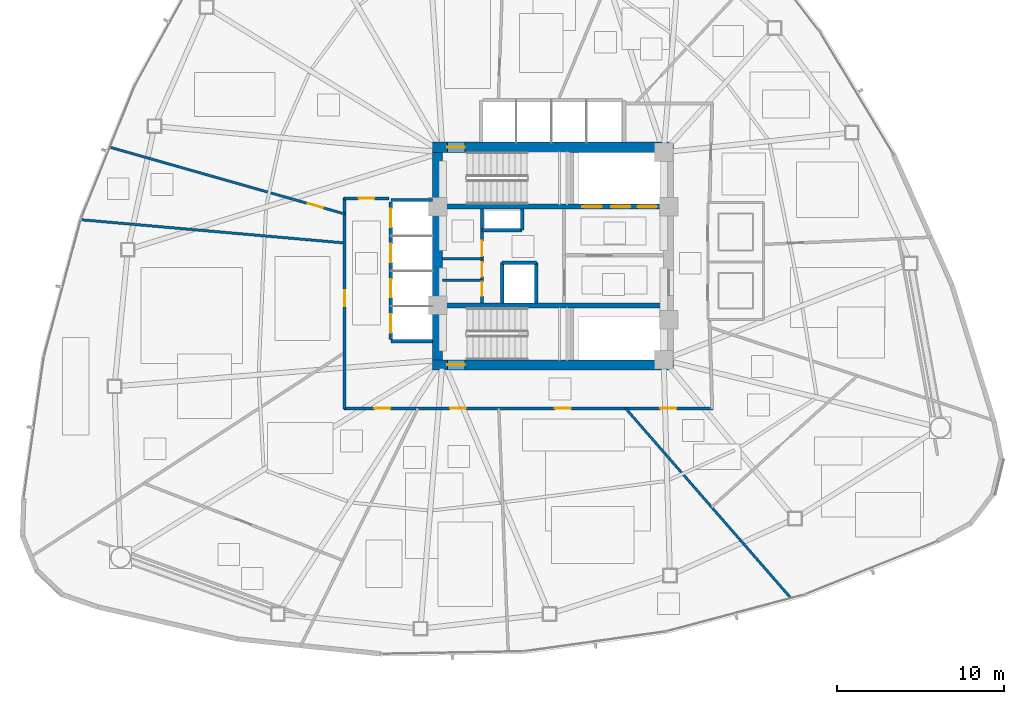
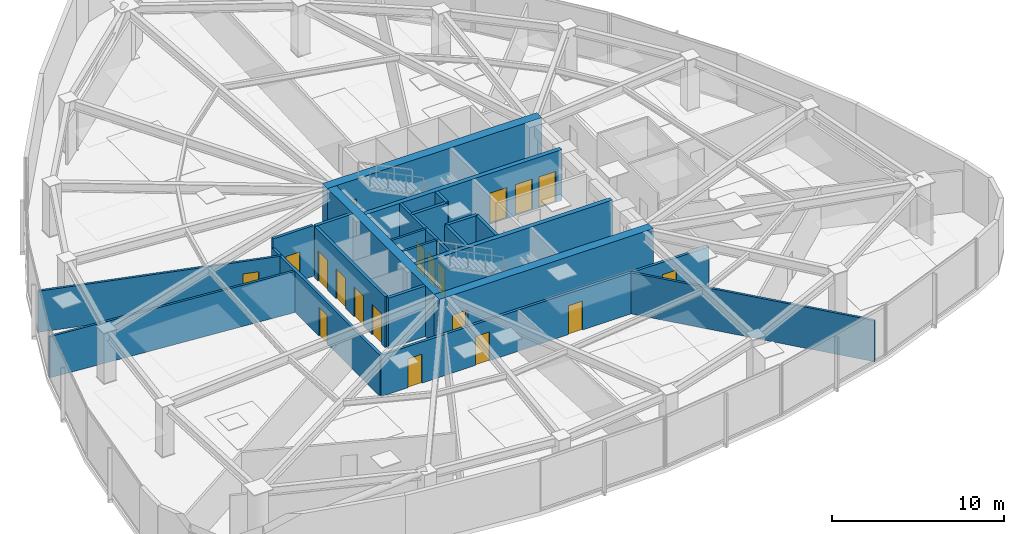
# One storey, part 11 of 17: 22 walls, 19 doors, 19 openings.
"""IFC4 building model written with IfcOpenShell, lengths in metres."""

from ifc_helpers import new_model, si_unit, direction, frame, frame_2d, origin, place, context, subcontext, project, spatial, rectangle, extrude, material, layer, layer_set, type_object, element, fill, save


model = new_model("IFC4")

# Units and contexts
model_context = context("Model", 3, precision=1e-05, world=origin(), true_north=direction((0.0, 1.0)))
body_context = subcontext(model_context, "Body", "Model", "MODEL_VIEW")
ifc_project = project(units=[si_unit("LENGTHUNIT", "METRE"), si_unit("AREAUNIT", "SQUARE_METRE"), si_unit("VOLUMEUNIT", "CUBIC_METRE"), si_unit("PLANEANGLEUNIT", "RADIAN"), si_unit("MASSUNIT", "GRAM", prefix="KILO")], contexts=[model_context])

# Site, building, storey
site_placement = place(None, origin())
site = spatial("IfcSite", under=ifc_project, at=site_placement, CompositionType="ELEMENT")
building_placement = place(site_placement, origin())
building = spatial("IfcBuilding", under=site, at=building_placement, Name="Tavelor Broadcast Tower", CompositionType="ELEMENT")
storey_placement = place(building_placement, frame((0.0, 0.0, 43.199951171875)))
storey = spatial("IfcBuildingStorey", under=building, at=storey_placement, Name="L09", CompositionType="ELEMENT", Elevation=43.199951171875)

# Wall, opening, door
ifc_material_1 = material(Name="Concrete C60/75", Category="concrete")
ifc_layer_1 = layer(ifc_material_1, 0.60009765625)
ifc_layer_set_1 = layer_set([ifc_layer_1], Name="Concrete C60/75")
wall_type_1 = type_object("IfcWallType", Name="Core Shear Wall 600 mm", PredefinedType="SHEAR", material=ifc_layer_set_1)
wall_1_placement = place(storey_placement, frame((42.800048828125, 51.5, 0.0), z_axis=(0.0, 0.0, 1.0), x_axis=(1.0, 0.0, 0.0)))
wall_1 = element("IfcWall", 1, at=wall_1_placement, inside=storey, type_object=wall_type_1, Name="L09 Central Core Shear Wall N", PredefinedType="SHEAR", context=body_context, shape_type="SweptSolid", body=[
    extrude(rectangle(XDim=14.39990234375, YDim=0.60009765625, at=frame_2d((7.199951171875, 0.0))), origin(), (0.0, 0.0, 1.0), 3.60009765625),
])
opening_1_placement = place(wall_1_placement, frame((0.8798828125, 0.0, 0.0)))
opening_1 = element("IfcOpeningElement", 2, at=opening_1_placement, cuts=wall_1, Name="Opening DR11", PredefinedType="OPENING", context=body_context, shape_type="SweptSolid", body=[
    extrude(rectangle(XDim=1.050048828125, YDim=2.199951171875, at=frame_2d((0.52490234375, 1.10009765625))), frame((0.0, 0.31005859375, 0.0), z_axis=(0.0, -1.0, 0.0), x_axis=(1.0, 0.0, 0.0)), (0.0, 0.0, 1.0), 0.6201171875),
])
ifc_material_2 = material(Name="Steel S355", Category="steel")
door_type_1 = type_object("IfcDoorType", Name="Stair Core Fire Escape Door 1050x2200", OperationType="NOTDEFINED", PredefinedType="DOOR", material=ifc_material_2)
door_1_placement = place(opening_1_placement, origin())
door_1 = element("IfcDoor", 3, at=door_1_placement, inside=storey, type_object=door_type_1, Name="L09 Stair ST1 Protected Exit Door", OperationType="SINGLE_SWING_LEFT", OverallHeight=2.199951171875, OverallWidth=1.050048828125, PredefinedType="DOOR", context=body_context, shape_type="SweptSolid", body=[
    extrude(rectangle(XDim=1.050048828125, YDim=2.199951171875, at=frame_2d((0.52490234375, 1.10009765625))), frame((0.0, 0.02490234375, 0.0), z_axis=(0.0, -1.0, 0.0), x_axis=(1.0, 0.0, 0.0)), (0.0, 0.0, 1.0), 0.050048828125),
])
fill(opening_1, door_1)

wall_2_placement = place(storey_placement, frame((42.800048828125, 38.5, 0.0), z_axis=(0.0, 0.0, 1.0), x_axis=(1.0, 0.0, 0.0)))
wall_2 = element("IfcWall", 4, at=wall_2_placement, inside=storey, type_object=wall_type_1, Name="L09 Central Core Shear Wall S", PredefinedType="SHEAR", context=body_context, shape_type="SweptSolid", body=[
    extrude(rectangle(XDim=14.39990234375, YDim=0.60009765625, at=frame_2d((7.199951171875, 0.0))), origin(), (0.0, 0.0, 1.0), 3.60009765625),
])
opening_2_placement = place(wall_2_placement, frame((0.8798828125, 0.0, 0.0)))
opening_2 = element("IfcOpeningElement", 5, at=opening_2_placement, cuts=wall_2, Name="Opening DR11", PredefinedType="OPENING", context=body_context, shape_type="SweptSolid", body=[
    extrude(rectangle(XDim=1.050048828125, YDim=2.199951171875, at=frame_2d((0.52490234375, 1.10009765625))), frame((0.0, 0.31005859375, 0.0), z_axis=(0.0, -1.0, 0.0), x_axis=(1.0, 0.0, 0.0)), (0.0, 0.0, 1.0), 0.6201171875),
])
door_2_placement = place(opening_2_placement, origin())
door_2 = element("IfcDoor", 6, at=door_2_placement, inside=storey, type_object=door_type_1, Name="L09 Stair ST2 Protected Exit Door", OperationType="SINGLE_SWING_RIGHT", OverallHeight=2.199951171875, OverallWidth=1.050048828125, PredefinedType="DOOR", context=body_context, shape_type="SweptSolid", body=[
    extrude(rectangle(XDim=1.050048828125, YDim=2.199951171875, at=frame_2d((0.52490234375, 1.10009765625))), frame((0.0, 0.02490234375, 0.0), z_axis=(0.0, -1.0, 0.0), x_axis=(1.0, 0.0, 0.0)), (0.0, 0.0, 1.0), 0.050048828125),
])
fill(opening_2, door_2)

# Wall
wall_3_placement = place(storey_placement, frame((43.10009765625, 38.800048828125, 0.0), z_axis=(0.0, 0.0, 1.0), x_axis=(0.0, 1.0, 0.0)))
element("IfcWall", 7, at=wall_3_placement, inside=storey, type_object=wall_type_1, Name="L09 Central Core Shear Wall W", PredefinedType="SHEAR", context=body_context, shape_type="SweptSolid", body=[
    extrude(rectangle(XDim=12.39990234375, YDim=0.60009765625, at=frame_2d((6.199951171875, 0.0))), origin(), (0.0, 0.0, 1.0), 3.60009765625),
])

# Wall, openings, doors
ifc_layer_2 = layer(ifc_material_1, 0.300048828125)
ifc_layer_set_2 = layer_set([ifc_layer_2], Name="Concrete C60/75")
wall_type_2 = type_object("IfcWallType", Name="Core Spine Shear Wall 300 mm C60", PredefinedType="SHEAR", material=ifc_layer_set_2)
wall_4_placement = place(storey_placement, frame((43.39990234375, 47.949951171875, 0.0), z_axis=(0.0, 0.0, 1.0), x_axis=(1.0, 0.0, 0.0)))
wall_4 = element("IfcWall", 8, at=wall_4_placement, inside=storey, type_object=wall_type_2, Name="L09 Central Core Shear Wall SP1", PredefinedType="SHEAR", context=body_context, shape_type="SweptSolid", body=[
    extrude(rectangle(XDim=13.2001953125, YDim=0.300048828125, at=frame_2d((6.60009765625, 0.0))), origin(), (0.0, 0.0, 1.0), 3.60009765625),
])
opening_3_placement = place(wall_4_placement, frame((8.344970703125, 0.0, 0.0)))
opening_3 = element("IfcOpeningElement", 9, at=opening_3_placement, cuts=wall_4, Name="Opening LD02", PredefinedType="OPENING", context=body_context, shape_type="SweptSolid", body=[
    extrude(rectangle(XDim=1.14990234375, YDim=2.199951171875, at=frame_2d((0.574951171875, 1.10009765625))), frame((0.0, 0.16015625, 0.0), z_axis=(0.0, -1.0, 0.0), x_axis=(1.0, 0.0, 0.0)), (0.0, 0.0, 1.0), 0.320068359375),
])
opening_4_placement = place(wall_4_placement, frame((10.06494140625, 0.0, 0.0)))
opening_4 = element("IfcOpeningElement", 10, at=opening_4_placement, cuts=wall_4, Name="Opening LD02", PredefinedType="OPENING", context=body_context, shape_type="SweptSolid", body=[
    extrude(rectangle(XDim=1.14990234375, YDim=2.199951171875, at=frame_2d((0.574951171875, 1.10009765625))), frame((0.0, 0.16015625, 0.0), z_axis=(0.0, -1.0, 0.0), x_axis=(1.0, 0.0, 0.0)), (0.0, 0.0, 1.0), 0.320068359375),
])
opening_5_placement = place(wall_4_placement, frame((11.64501953125, 0.0, 0.0)))
opening_5 = element("IfcOpeningElement", 11, at=opening_5_placement, cuts=wall_4, Name="Opening LD03", PredefinedType="OPENING", context=body_context, shape_type="SweptSolid", body=[
    extrude(rectangle(XDim=1.14990234375, YDim=2.199951171875, at=frame_2d((0.574951171875, 1.10009765625))), frame((0.0, 0.16015625, 0.0), z_axis=(0.0, -1.0, 0.0), x_axis=(1.0, 0.0, 0.0)), (0.0, 0.0, 1.0), 0.320068359375),
])
ifc_material_3 = material(Name="Reinforced Brushed Stainless Steel", Category="concrete")
door_type_2 = type_object("IfcDoorType", Name="Broadcast Goods Lift Sliding Landing Door 1250x2200", OperationType="NOTDEFINED", PredefinedType="DOOR", material=ifc_material_3)
door_3_placement = place(opening_5_placement, origin())
door_3 = element("IfcDoor", 12, at=door_3_placement, inside=storey, type_object=door_type_2, Name="L09 Lift SVL1 Sliding Landing Door", OperationType="SLIDING_TO_LEFT", OverallHeight=2.199951171875, OverallWidth=1.14990234375, PredefinedType="DOOR", context=body_context, shape_type="SweptSolid", body=[
    extrude(rectangle(XDim=1.14990234375, YDim=2.199951171875, at=frame_2d((0.574951171875, 1.10009765625))), frame((0.0, 0.02490234375, 0.0), z_axis=(0.0, -1.0, 0.0), x_axis=(1.0, 0.0, 0.0)), (0.0, 0.0, 1.0), 0.050048828125),
])
fill(opening_5, door_3)
ifc_material_4 = material(Name="Fire-Rated Stainless Steel", Category="steel")
door_type_3 = type_object("IfcDoorType", Name="Firefighting Lift Sliding Landing Door 1200x2200", OperationType="NOTDEFINED", PredefinedType="DOOR", material=ifc_material_4)
door_4_placement = place(opening_3_placement, origin())
door_4 = element("IfcDoor", 13, at=door_4_placement, inside=storey, type_object=door_type_3, Name="L09 Lift FFL1 Sliding Landing Door", OperationType="SLIDING_TO_LEFT", OverallHeight=2.199951171875, OverallWidth=1.14990234375, PredefinedType="DOOR", context=body_context, shape_type="SweptSolid", body=[
    extrude(rectangle(XDim=1.14990234375, YDim=2.199951171875, at=frame_2d((0.574951171875, 1.10009765625))), frame((0.0, 0.02490234375, 0.0), z_axis=(0.0, -1.0, 0.0), x_axis=(1.0, 0.0, 0.0)), (0.0, 0.0, 1.0), 0.050048828125),
])
fill(opening_3, door_4)
door_5_placement = place(opening_4_placement, origin())
door_5 = element("IfcDoor", 14, at=door_5_placement, inside=storey, type_object=door_type_3, Name="L09 Lift FFL2 Sliding Landing Door", OperationType="SLIDING_TO_LEFT", OverallHeight=2.199951171875, OverallWidth=1.14990234375, PredefinedType="DOOR", context=body_context, shape_type="SweptSolid", body=[
    extrude(rectangle(XDim=1.14990234375, YDim=2.199951171875, at=frame_2d((0.574951171875, 1.10009765625))), frame((0.0, 0.02490234375, 0.0), z_axis=(0.0, -1.0, 0.0), x_axis=(1.0, 0.0, 0.0)), (0.0, 0.0, 1.0), 0.050048828125),
])
fill(opening_4, door_5)

# Wall
wall_5_placement = place(storey_placement, frame((43.39990234375, 42.050048828125, 0.0), z_axis=(0.0, 0.0, 1.0), x_axis=(1.0, 0.0, 0.0)))
element("IfcWall", 15, at=wall_5_placement, inside=storey, type_object=wall_type_2, Name="L09 Central Core Shear Wall SP2", PredefinedType="SHEAR", context=body_context, shape_type="SweptSolid", body=[
    extrude(rectangle(XDim=13.2001953125, YDim=0.300048828125, at=frame_2d((6.60009765625, 0.0))), origin(), (0.0, 0.0, 1.0), 3.60009765625),
])

# Wall, openings, doors
ifc_material_5 = material(Name="Calcium Silicate Fire Board 180 mm", Category="gypsum")
ifc_layer_3 = layer(ifc_material_5, 0.179931640625)
ifc_layer_set_3 = layer_set([ifc_layer_3], Name="Calcium Silicate Fire Board 180 mm")
wall_type_3 = type_object("IfcWallType", Name="Fire-Rated Corridor Partition Wall 180 mm", PredefinedType="PARTITIONING", material=ifc_layer_set_3)
wall_6_placement = place(storey_placement, frame((45.75, 42.199951171875, 0.0), z_axis=(0.0, 0.0, 1.0), x_axis=(0.0, 1.0, 0.0)))
wall_6 = element("IfcWall", 16, at=wall_6_placement, inside=storey, type_object=wall_type_3, Name="L09 Core West Service East Wall", PredefinedType="PARTITIONING", context=body_context, shape_type="SweptSolid", body=[
    extrude(rectangle(XDim=5.60009765625, YDim=0.179931640625, at=frame_2d((2.800048828125, 0.0))), origin(), (0.0, 0.0, 1.0), 3.60009765625),
])
opening_6_placement = place(wall_6_placement, frame((0.419921875, 0.0, 0.0)))
opening_6 = element("IfcOpeningElement", 17, at=opening_6_placement, cuts=wall_6, Name="Opening DR36", PredefinedType="OPENING", context=body_context, shape_type="SweptSolid", body=[
    extrude(rectangle(XDim=0.85009765625, YDim=2.050048828125, at=frame_2d((0.425048828125, 1.02490234375))), frame((0.0, 0.10009765625, 0.0), z_axis=(0.0, -1.0, 0.0), x_axis=(1.0, 0.0, 0.0)), (0.0, 0.0, 1.0), 0.199951171875),
])
opening_7_placement = place(wall_6_placement, frame((1.570068359375, 0.0, 0.0)))
opening_7 = element("IfcOpeningElement", 18, at=opening_7_placement, cuts=wall_6, Name="Opening DR36", PredefinedType="OPENING", context=body_context, shape_type="SweptSolid", body=[
    extrude(rectangle(XDim=0.85009765625, YDim=2.050048828125, at=frame_2d((0.425048828125, 1.02490234375))), frame((0.0, 0.10009765625, 0.0), z_axis=(0.0, -1.0, 0.0), x_axis=(1.0, 0.0, 0.0)), (0.0, 0.0, 1.0), 0.199951171875),
])
opening_8_placement = place(wall_6_placement, frame((2.800048828125, 0.0, 0.0)))
opening_8 = element("IfcOpeningElement", 19, at=opening_8_placement, cuts=wall_6, Name="Opening DR32", PredefinedType="OPENING", context=body_context, shape_type="SweptSolid", body=[
    extrude(rectangle(XDim=0.89990234375, YDim=2.050048828125, at=frame_2d((0.449951171875, 1.02490234375))), frame((0.0, 0.10009765625, 0.0), z_axis=(0.0, -1.0, 0.0), x_axis=(1.0, 0.0, 0.0)), (0.0, 0.0, 1.0), 0.199951171875),
])
ifc_material_6 = material(Name="Timber Solid Core Hardwood", Category="wood")
door_type_4 = type_object("IfcDoorType", Name="Accessible Washroom Door 900x2050", OperationType="NOTDEFINED", PredefinedType="DOOR", material=ifc_material_6)
door_6_placement = place(opening_8_placement, origin())
door_6 = element("IfcDoor", 20, at=door_6_placement, inside=storey, type_object=door_type_4, Name="L09 Core Accessible WC Door", OperationType="SINGLE_SWING_LEFT", OverallHeight=2.050048828125, OverallWidth=0.89990234375, PredefinedType="DOOR", context=body_context, shape_type="SweptSolid", body=[
    extrude(rectangle(XDim=0.89990234375, YDim=2.050048828125, at=frame_2d((0.449951171875, 1.02490234375))), frame((0.0, 0.02490234375, 0.0), z_axis=(0.0, -1.0, 0.0), x_axis=(1.0, 0.0, 0.0)), (0.0, 0.0, 1.0), 0.050048828125),
])
fill(opening_8, door_6)
door_type_5 = type_object("IfcDoorType", Name="Service Room Fire Door 850x2050", OperationType="NOTDEFINED", PredefinedType="DOOR", material=ifc_material_2)
door_7_placement = place(opening_6_placement, origin())
door_7 = element("IfcDoor", 21, at=door_7_placement, inside=storey, type_object=door_type_5, Name="L09 Core Medical Room Door", OperationType="SINGLE_SWING_LEFT", OverallHeight=2.050048828125, OverallWidth=0.85009765625, PredefinedType="DOOR", context=body_context, shape_type="SweptSolid", body=[
    extrude(rectangle(XDim=0.85009765625, YDim=2.050048828125, at=frame_2d((0.425048828125, 1.02490234375))), frame((0.0, 0.02490234375, 0.0), z_axis=(0.0, -1.0, 0.0), x_axis=(1.0, 0.0, 0.0)), (0.0, 0.0, 1.0), 0.050048828125),
])
fill(opening_6, door_7)
door_8_placement = place(opening_7_placement, origin())
door_8 = element("IfcDoor", 22, at=door_8_placement, inside=storey, type_object=door_type_5, Name="L09 Core Copy Room Door", OperationType="SINGLE_SWING_RIGHT", OverallHeight=2.050048828125, OverallWidth=0.85009765625, PredefinedType="DOOR", context=body_context, shape_type="SweptSolid", body=[
    extrude(rectangle(XDim=0.85009765625, YDim=2.050048828125, at=frame_2d((0.425048828125, 1.02490234375))), frame((0.0, 0.02490234375, 0.0), z_axis=(0.0, -1.0, 0.0), x_axis=(1.0, 0.0, 0.0)), (0.0, 0.0, 1.0), 0.050048828125),
])
fill(opening_7, door_8)

wall_7_placement = place(storey_placement, frame((59.550048828125, 35.89990234375, 0.0), z_axis=(0.0, 0.0, 1.0), x_axis=(-1.0, 0.0, 0.0)))
wall_7 = element("IfcWall", 23, at=wall_7_placement, inside=storey, type_object=wall_type_3, Name="L09 Corridor Compartment Wall 04", PredefinedType="PARTITIONING", context=body_context, shape_type="SweptSolid", body=[
    extrude(rectangle(XDim=22.050048828125, YDim=0.179931640625, at=frame_2d((11.02490234375, 0.0))), origin(), (0.0, 0.0, 1.0), 2.925048828125),
])
opening_9_placement = place(wall_7_placement, frame((2.193115234375, 0.0, 0.0)))
opening_9 = element("IfcOpeningElement", 24, at=opening_9_placement, cuts=wall_7, Name="Opening DR18", PredefinedType="OPENING", context=body_context, shape_type="SweptSolid", body=[
    extrude(rectangle(XDim=0.949951171875, YDim=2.050048828125, at=frame_2d((0.47509765625, 1.02490234375))), frame((0.0, 0.10009765625, 0.0), z_axis=(0.0, -1.0, 0.0), x_axis=(1.0, 0.0, 0.0)), (0.0, 0.0, 1.0), 0.199951171875),
])
opening_10_placement = place(wall_7_placement, frame((8.489501953125, 0.0, 0.0)))
opening_10 = element("IfcOpeningElement", 25, at=opening_10_placement, cuts=wall_7, Name="Opening DR18", PredefinedType="OPENING", context=body_context, shape_type="SweptSolid", body=[
    extrude(rectangle(XDim=0.949951171875, YDim=2.050048828125, at=frame_2d((0.47509765625, 1.02490234375))), frame((0.0, 0.10009765625, 0.0), z_axis=(0.0, -1.0, 0.0), x_axis=(1.0, 0.0, 0.0)), (0.0, 0.0, 1.0), 0.199951171875),
])
opening_11_placement = place(wall_7_placement, frame((14.759765625, 0.0, 0.0)))
opening_11 = element("IfcOpeningElement", 26, at=opening_11_placement, cuts=wall_7, Name="Opening DR18", PredefinedType="OPENING", context=body_context, shape_type="SweptSolid", body=[
    extrude(rectangle(XDim=0.949951171875, YDim=2.050048828125, at=frame_2d((0.47509765625, 1.02490234375))), frame((0.0, 0.10009765625, 0.0), z_axis=(0.0, -1.0, 0.0), x_axis=(1.0, 0.0, 0.0)), (0.0, 0.0, 1.0), 0.199951171875),
])
opening_12_placement = place(wall_7_placement, frame((19.280517578125, 0.0, 0.0)))
opening_12 = element("IfcOpeningElement", 27, at=opening_12_placement, cuts=wall_7, Name="Opening DR18", PredefinedType="OPENING", context=body_context, shape_type="SweptSolid", body=[
    extrude(rectangle(XDim=0.949951171875, YDim=2.050048828125, at=frame_2d((0.47509765625, 1.02490234375))), frame((0.0, 0.10009765625, 0.0), z_axis=(0.0, -1.0, 0.0), x_axis=(1.0, 0.0, 0.0)), (0.0, 0.0, 1.0), 0.199951171875),
])
door_type_6 = type_object("IfcDoorType", Name="Corridor Rated Compartment Door 950x2050", OperationType="NOTDEFINED", PredefinedType="DOOR", material=ifc_material_6)
door_9_placement = place(opening_9_placement, origin())
door_9 = element("IfcDoor", 28, at=door_9_placement, inside=storey, type_object=door_type_6, Name="L09 Press Concierge Desk Door R11", OperationType="SINGLE_SWING_LEFT", OverallHeight=2.050048828125, OverallWidth=0.949951171875, PredefinedType="DOOR", context=body_context, shape_type="SweptSolid", body=[
    extrude(rectangle(XDim=0.949951171875, YDim=2.050048828125, at=frame_2d((0.47509765625, 1.02490234375))), frame((0.0, 0.02490234375, 0.0), z_axis=(0.0, -1.0, 0.0), x_axis=(1.0, 0.0, 0.0)), (0.0, 0.0, 1.0), 0.050048828125),
])
fill(opening_9, door_9)
door_10_placement = place(opening_10_placement, origin())
door_10 = element("IfcDoor", 29, at=door_10_placement, inside=storey, type_object=door_type_6, Name="L09 Press Interview Room Door R0", OperationType="SINGLE_SWING_RIGHT", OverallHeight=2.050048828125, OverallWidth=0.949951171875, PredefinedType="DOOR", context=body_context, shape_type="SweptSolid", body=[
    extrude(rectangle(XDim=0.949951171875, YDim=2.050048828125, at=frame_2d((0.47509765625, 1.02490234375))), frame((0.0, 0.02490234375, 0.0), z_axis=(0.0, -1.0, 0.0), x_axis=(1.0, 0.0, 0.0)), (0.0, 0.0, 1.0), 0.050048828125),
])
fill(opening_10, door_10)
door_11_placement = place(opening_11_placement, origin())
door_11 = element("IfcDoor", 30, at=door_11_placement, inside=storey, type_object=door_type_6, Name="L09 Standards Huddle Room Door R1", OperationType="SINGLE_SWING_LEFT", OverallHeight=2.050048828125, OverallWidth=0.949951171875, PredefinedType="DOOR", context=body_context, shape_type="SweptSolid", body=[
    extrude(rectangle(XDim=0.949951171875, YDim=2.050048828125, at=frame_2d((0.47509765625, 1.02490234375))), frame((0.0, 0.02490234375, 0.0), z_axis=(0.0, -1.0, 0.0), x_axis=(1.0, 0.0, 0.0)), (0.0, 0.0, 1.0), 0.050048828125),
])
fill(opening_11, door_11)
door_12_placement = place(opening_12_placement, origin())
door_12 = element("IfcDoor", 31, at=door_12_placement, inside=storey, type_object=door_type_6, Name="L09 Quiet Listening Room Door R12", OperationType="SINGLE_SWING_RIGHT", OverallHeight=2.050048828125, OverallWidth=0.949951171875, PredefinedType="DOOR", context=body_context, shape_type="SweptSolid", body=[
    extrude(rectangle(XDim=0.949951171875, YDim=2.050048828125, at=frame_2d((0.47509765625, 1.02490234375))), frame((0.0, 0.02490234375, 0.0), z_axis=(0.0, -1.0, 0.0), x_axis=(1.0, 0.0, 0.0)), (0.0, 0.0, 1.0), 0.050048828125),
])
fill(opening_12, door_12)

# Wall, opening, door
wall_8_placement = place(storey_placement, frame((37.550048828125, 35.85009765625, 0.0), z_axis=(0.0, 0.0, 1.0), x_axis=(0.0, 1.0, 0.0)))
wall_8 = element("IfcWall", 32, at=wall_8_placement, inside=storey, type_object=wall_type_3, Name="L09 Corridor Compartment Wall 05", PredefinedType="PARTITIONING", context=body_context, shape_type="SweptSolid", body=[
    extrude(rectangle(XDim=12.64990234375, YDim=0.179931640625, at=frame_2d((6.324951171875, 0.0))), origin(), (0.0, 0.0, 1.0), 2.925048828125),
])
opening_13_placement = place(wall_8_placement, frame((6.1591796875, 0.0, 0.0)))
opening_13 = element("IfcOpeningElement", 33, at=opening_13_placement, cuts=wall_8, Name="Opening DR18", PredefinedType="OPENING", context=body_context, shape_type="SweptSolid", body=[
    extrude(rectangle(XDim=0.949951171875, YDim=2.050048828125, at=frame_2d((0.47509765625, 1.02490234375))), frame((0.0, 0.10009765625, 0.0), z_axis=(0.0, -1.0, 0.0), x_axis=(1.0, 0.0, 0.0)), (0.0, 0.0, 1.0), 0.199951171875),
])
door_13_placement = place(opening_13_placement, origin())
door_13 = element("IfcDoor", 34, at=door_13_placement, inside=storey, type_object=door_type_6, Name="L09 Newsroom Huddle Room Door R3", OperationType="SINGLE_SWING_LEFT", OverallHeight=2.050048828125, OverallWidth=0.949951171875, PredefinedType="DOOR", context=body_context, shape_type="SweptSolid", body=[
    extrude(rectangle(XDim=0.949951171875, YDim=2.050048828125, at=frame_2d((0.47509765625, 1.02490234375))), frame((0.0, 0.02490234375, 0.0), z_axis=(0.0, -1.0, 0.0), x_axis=(1.0, 0.0, 0.0)), (0.0, 0.0, 1.0), 0.050048828125),
])
fill(opening_13, door_13)

wall_9_placement = place(storey_placement, frame((37.5, 48.449951171875, 0.0), z_axis=(0.0, 0.0, 1.0), x_axis=(1.0, 0.0, 0.0)))
wall_9 = element("IfcWall", 35, at=wall_9_placement, inside=storey, type_object=wall_type_3, Name="L09 Corridor Compartment Wall 06", PredefinedType="PARTITIONING", context=body_context, shape_type="SweptSolid", body=[
    extrude(rectangle(XDim=2.699951171875, YDim=0.179931640625, at=frame_2d((1.35009765625, 0.0))), origin(), (0.0, 0.0, 1.0), 3.60009765625),
])
opening_14_placement = place(wall_9_placement, frame((0.875, 0.0, 0.0)))
opening_14 = element("IfcOpeningElement", 36, at=opening_14_placement, cuts=wall_9, Name="Opening DR18", PredefinedType="OPENING", context=body_context, shape_type="SweptSolid", body=[
    extrude(rectangle(XDim=0.949951171875, YDim=2.050048828125, at=frame_2d((0.47509765625, 1.02490234375))), frame((0.0, 0.10009765625, 0.0), z_axis=(0.0, -1.0, 0.0), x_axis=(1.0, 0.0, 0.0)), (0.0, 0.0, 1.0), 0.199951171875),
])
door_14_placement = place(opening_14_placement, origin())
door_14 = element("IfcDoor", 37, at=door_14_placement, inside=storey, type_object=door_type_6, Name="L09 Editorial Huddle Room Door R5", OperationType="SINGLE_SWING_RIGHT", OverallHeight=2.050048828125, OverallWidth=0.949951171875, PredefinedType="DOOR", context=body_context, shape_type="SweptSolid", body=[
    extrude(rectangle(XDim=0.949951171875, YDim=2.050048828125, at=frame_2d((0.47509765625, 1.02490234375))), frame((0.0, 0.02490234375, 0.0), z_axis=(0.0, -1.0, 0.0), x_axis=(1.0, 0.0, 0.0)), (0.0, 0.0, 1.0), 0.050048828125),
])
fill(opening_14, door_14)

# Walls
ifc_material_7 = material(Name="Gypsum Acoustic Plasterboard 150 mm", Category="gypsum")
ifc_layer_4 = layer(ifc_material_7, 0.14990234375)
ifc_layer_set_4 = layer_set([ifc_layer_4], Name="Gypsum Acoustic Plasterboard 150 mm")
wall_type_4 = type_object("IfcWallType", Name="Interior Acoustic Partition Wall 150 mm", PredefinedType="PARTITIONING", material=ifc_layer_set_4)
for number, where, z_axis, x_axis, name in (
    (38, (43.39990234375, 43.550048828125, 0.0), (0.0, 0.0, 1.0), (1.0, 0.0, 0.0), "L09 Core Split Wall B1"),
    (39, (43.39990234375, 44.85009765625, 0.0), (0.0, 0.0, 1.0), (1.0, 0.0, 0.0), "L09 Core Split Wall B2"),
):
    element("IfcWall", number, at=place(storey_placement, frame(where, z_axis=z_axis, x_axis=x_axis)), inside=storey, type_object=wall_type_4, Name=name, PredefinedType="PARTITIONING", context=body_context, shape_type="SweptSolid", body=[
        extrude(rectangle(XDim=2.35009765625, YDim=0.14990234375, at=frame_2d((1.175048828125, 0.0))), origin(), (0.0, 0.0, 1.0), 3.60009765625),
    ])

# Wall, opening, door
wall_10_placement = place(storey_placement, frame((37.550048828125, 47.514404296875, 0.0), z_axis=(0.0, 0.0, 1.0), x_axis=(-0.961932608726, 0.273286765632, 0.0)))
wall_10 = element("IfcWall", 40, at=wall_10_placement, inside=storey, type_object=wall_type_4, Name="L09 Radial Compartment Wall 04", PredefinedType="PARTITIONING", context=body_context, shape_type="SweptSolid", body=[
    extrude(rectangle(XDim=14.5927734375, YDim=0.14990234375, at=frame_2d((7.29638671875, 0.0))), origin(), (0.0, 0.0, 1.0), 2.925048828125),
])
opening_15_placement = place(wall_10_placement, frame((1.35009765625, 0.0, 0.0)))
opening_15 = element("IfcOpeningElement", 41, at=opening_15_placement, cuts=wall_10, Name="Opening DR18", PredefinedType="OPENING", context=body_context, shape_type="SweptSolid", body=[
    extrude(rectangle(XDim=0.949951171875, YDim=2.050048828125, at=frame_2d((0.47509765625, 1.02490234375))), frame((0.0, 0.0849609375, 0.0), z_axis=(0.0, -1.0, 0.0), x_axis=(1.0, 0.0, 0.0)), (0.0, 0.0, 1.0), 0.169921875),
])
door_15_placement = place(opening_15_placement, origin())
door_15 = element("IfcDoor", 42, at=door_15_placement, inside=storey, type_object=door_type_6, Name="L09 Suite Connecting Door 4", OperationType="SINGLE_SWING_RIGHT", OverallHeight=2.050048828125, OverallWidth=0.949951171875, PredefinedType="DOOR", context=body_context, shape_type="SweptSolid", body=[
    extrude(rectangle(XDim=0.949951171875, YDim=2.050048828125, at=frame_2d((0.47509765625, 1.02490234375))), frame((0.0, 0.02490234375, 0.0), z_axis=(0.0, -1.0, 0.0), x_axis=(1.0, 0.0, 0.0)), (0.0, 0.0, 1.0), 0.050048828125),
])
fill(opening_15, door_15)

# Walls
wall_11_placement = place(storey_placement, frame((37.550048828125, 45.7802734375, 0.0), z_axis=(0.0, 0.0, 1.0), x_axis=(-0.996136872502, 0.087814185882, 0.0)))
element("IfcWall", 43, at=wall_11_placement, inside=storey, type_object=wall_type_4, Name="L09 Radial Compartment Wall 05", PredefinedType="PARTITIONING", context=body_context, shape_type="SweptSolid", body=[
    extrude(rectangle(XDim=15.8388671875, YDim=0.14990234375, at=frame_2d((7.91943359375, 0.0))), origin(), (0.0, 0.0, 1.0), 2.925048828125),
])
wall_12_placement = place(storey_placement, frame((54.327392578125, 35.89990234375, 0.0), z_axis=(0.0, 0.0, 1.0), x_axis=(0.656862876703, -0.754010053785, 0.0)))
element("IfcWall", 44, at=wall_12_placement, inside=storey, type_object=wall_type_4, Name="L09 Radial Compartment Wall 09", PredefinedType="PARTITIONING", context=body_context, shape_type="SweptSolid", body=[
    extrude(rectangle(XDim=15.04833984375, YDim=0.14990234375, at=frame_2d((7.524169921875, 0.0))), origin(), (0.0, 0.0, 1.0), 2.925048828125),
])

# Wall, openings, doors
ifc_material_8 = material(Name="Concrete Blockwork 200 mm", Category="masonry")
ifc_layer_5 = layer(ifc_material_8, 0.199951171875)
ifc_layer_set_5 = layer_set([ifc_layer_5], Name="Concrete Blockwork 200 mm")
wall_type_5 = type_object("IfcWallType", Name="Lift Hoistway Rated Front Wall 200 mm", PredefinedType="PARTITIONING", material=ifc_layer_set_5)
wall_13_placement = place(storey_placement, frame((40.300048828125, 40.02001953125, 0.0), z_axis=(0.0, 0.0, 1.0), x_axis=(0.0, 1.0, 0.0)))
wall_13 = element("IfcWall", 45, at=wall_13_placement, inside=storey, type_object=wall_type_5, Name="L09 Low-Rise Lift Hoistway Front Wall", PredefinedType="PARTITIONING", context=body_context, shape_type="SweptSolid", body=[
    extrude(rectangle(XDim=8.2099609375, YDim=0.199951171875, at=frame_2d((4.10498046875, 0.0))), origin(), (0.0, 0.0, 1.0), 3.60009765625),
])
opening_16_placement = place(wall_13_placement, frame((0.405029296875, 0.0, 0.0)))
opening_16 = element("IfcOpeningElement", 46, at=opening_16_placement, cuts=wall_13, Name="Opening LD01", PredefinedType="OPENING", context=body_context, shape_type="SweptSolid", body=[
    extrude(rectangle(XDim=1.10009765625, YDim=2.14990234375, at=frame_2d((0.550048828125, 1.074951171875))), frame((0.0, 0.10986328125, 0.0), z_axis=(0.0, -1.0, 0.0), x_axis=(1.0, 0.0, 0.0)), (0.0, 0.0, 1.0), 0.219970703125),
])
opening_17_placement = place(wall_13_placement, frame((2.5048828125, 0.0, 0.0)))
opening_17 = element("IfcOpeningElement", 47, at=opening_17_placement, cuts=wall_13, Name="Opening LD01", PredefinedType="OPENING", context=body_context, shape_type="SweptSolid", body=[
    extrude(rectangle(XDim=1.10009765625, YDim=2.14990234375, at=frame_2d((0.550048828125, 1.074951171875))), frame((0.0, 0.10986328125, 0.0), z_axis=(0.0, -1.0, 0.0), x_axis=(1.0, 0.0, 0.0)), (0.0, 0.0, 1.0), 0.219970703125),
])
opening_18_placement = place(wall_13_placement, frame((4.60498046875, 0.0, 0.0)))
opening_18 = element("IfcOpeningElement", 48, at=opening_18_placement, cuts=wall_13, Name="Opening LD01", PredefinedType="OPENING", context=body_context, shape_type="SweptSolid", body=[
    extrude(rectangle(XDim=1.10009765625, YDim=2.14990234375, at=frame_2d((0.550048828125, 1.074951171875))), frame((0.0, 0.10986328125, 0.0), z_axis=(0.0, -1.0, 0.0), x_axis=(1.0, 0.0, 0.0)), (0.0, 0.0, 1.0), 0.219970703125),
])
opening_19_placement = place(wall_13_placement, frame((6.705078125, 0.0, 0.0)))
opening_19 = element("IfcOpeningElement", 49, at=opening_19_placement, cuts=wall_13, Name="Opening LD01", PredefinedType="OPENING", context=body_context, shape_type="SweptSolid", body=[
    extrude(rectangle(XDim=1.10009765625, YDim=2.14990234375, at=frame_2d((0.550048828125, 1.074951171875))), frame((0.0, 0.10986328125, 0.0), z_axis=(0.0, -1.0, 0.0), x_axis=(1.0, 0.0, 0.0)), (0.0, 0.0, 1.0), 0.219970703125),
])
ifc_material_9 = material(Name="Brushed Stainless Steel", Category="steel")
door_type_7 = type_object("IfcDoorType", Name="Passenger Lift Sliding Landing Door 1100x2150", OperationType="NOTDEFINED", PredefinedType="DOOR", material=ifc_material_9)
door_16_placement = place(opening_16_placement, origin())
door_16 = element("IfcDoor", 50, at=door_16_placement, inside=storey, type_object=door_type_7, Name="L09 Lift PLL1 Sliding Landing Door", OperationType="SLIDING_TO_LEFT", OverallHeight=2.14990234375, OverallWidth=1.10009765625, PredefinedType="DOOR", context=body_context, shape_type="SweptSolid", body=[
    extrude(rectangle(XDim=1.10009765625, YDim=2.14990234375, at=frame_2d((0.550048828125, 1.074951171875))), frame((0.0, 0.02490234375, 0.0), z_axis=(0.0, -1.0, 0.0), x_axis=(1.0, 0.0, 0.0)), (0.0, 0.0, 1.0), 0.050048828125),
])
fill(opening_16, door_16)
door_17_placement = place(opening_17_placement, origin())
door_17 = element("IfcDoor", 51, at=door_17_placement, inside=storey, type_object=door_type_7, Name="L09 Lift PLL2 Sliding Landing Door", OperationType="SLIDING_TO_RIGHT", OverallHeight=2.14990234375, OverallWidth=1.10009765625, PredefinedType="DOOR", context=body_context, shape_type="SweptSolid", body=[
    extrude(rectangle(XDim=1.10009765625, YDim=2.14990234375, at=frame_2d((0.550048828125, 1.074951171875))), frame((0.0, 0.02490234375, 0.0), z_axis=(0.0, -1.0, 0.0), x_axis=(1.0, 0.0, 0.0)), (0.0, 0.0, 1.0), 0.050048828125),
])
fill(opening_17, door_17)
door_18_placement = place(opening_18_placement, origin())
door_18 = element("IfcDoor", 52, at=door_18_placement, inside=storey, type_object=door_type_7, Name="L09 Lift PLL3 Sliding Landing Door", OperationType="SLIDING_TO_LEFT", OverallHeight=2.14990234375, OverallWidth=1.10009765625, PredefinedType="DOOR", context=body_context, shape_type="SweptSolid", body=[
    extrude(rectangle(XDim=1.10009765625, YDim=2.14990234375, at=frame_2d((0.550048828125, 1.074951171875))), frame((0.0, 0.02490234375, 0.0), z_axis=(0.0, -1.0, 0.0), x_axis=(1.0, 0.0, 0.0)), (0.0, 0.0, 1.0), 0.050048828125),
])
fill(opening_18, door_18)
door_19_placement = place(opening_19_placement, origin())
door_19 = element("IfcDoor", 53, at=door_19_placement, inside=storey, type_object=door_type_7, Name="L09 Lift PLL4 Sliding Landing Door", OperationType="SLIDING_TO_RIGHT", OverallHeight=2.14990234375, OverallWidth=1.10009765625, PredefinedType="DOOR", context=body_context, shape_type="SweptSolid", body=[
    extrude(rectangle(XDim=1.10009765625, YDim=2.14990234375, at=frame_2d((0.550048828125, 1.074951171875))), frame((0.0, 0.02490234375, 0.0), z_axis=(0.0, -1.0, 0.0), x_axis=(1.0, 0.0, 0.0)), (0.0, 0.0, 1.0), 0.050048828125),
])
fill(opening_19, door_19)

# Walls
wall_14_placement = place(storey_placement, frame((49.0, 42.199951171875, 0.0), z_axis=(0.0, 0.0, 1.0), x_axis=(0.0, 1.0, 0.0)))
element("IfcWall", 54, at=wall_14_placement, inside=storey, type_object=wall_type_5, Name="L09 Mid-Rise Lift PLM4 Hoistway Front Wall", PredefinedType="PARTITIONING", context=body_context, shape_type="SweptSolid", body=[
    extrude(rectangle(XDim=2.400146484375, YDim=0.199951171875, at=frame_2d((1.2001953125, 0.0))), origin(), (0.0, 0.0, 1.0), 3.60009765625),
])
ifc_layer_6 = layer(ifc_material_8, 0.199951171875)
ifc_layer_set_6 = layer_set([ifc_layer_6], Name="Concrete Blockwork 200 mm")
wall_type_6 = type_object("IfcWallType", Name="Lift and Riser Shaft Enclosure Wall 200 mm", PredefinedType="PARTITIONING", material=ifc_layer_set_6)
for number, where, z_axis, x_axis, name in (
    (55, (40.300048828125, 39.89990234375, 0.0), (0.0, 0.0, 1.0), (1.0, 0.0, 0.0), "L09 Low-Rise Lift Shaft South Wall"),
    (56, (40.300048828125, 48.35009765625, 0.0), (0.0, 0.0, 1.0), (1.0, 0.0, 0.0), "L09 Low-Rise Lift Shaft North Wall"),
):
    element("IfcWall", number, at=place(storey_placement, frame(where, z_axis=z_axis, x_axis=x_axis)), inside=storey, type_object=wall_type_6, Name=name, PredefinedType="PARTITIONING", context=body_context, shape_type="SweptSolid", body=[
        extrude(rectangle(XDim=2.5, YDim=0.199951171875, at=frame_2d((1.25, 0.0))), origin(), (0.0, 0.0, 1.0), 3.60009765625),
    ])
wall_15_placement = place(storey_placement, frame((45.75, 46.550048828125, 0.0), z_axis=(0.0, 0.0, 1.0), x_axis=(1.0, 0.0, 0.0)))
element("IfcWall", 57, at=wall_15_placement, inside=storey, type_object=wall_type_6, Name="L09 Riser Shaft South Wall", PredefinedType="PARTITIONING", context=body_context, shape_type="SweptSolid", body=[
    extrude(rectangle(XDim=2.39990234375, YDim=0.199951171875, at=frame_2d((1.199951171875, 0.0))), origin(), (0.0, 0.0, 1.0), 3.60009765625),
])
wall_16_placement = place(storey_placement, frame((48.14990234375, 46.550048828125, 0.0), z_axis=(0.0, 0.0, 1.0), x_axis=(0.0, 1.0, 0.0)))
element("IfcWall", 58, at=wall_16_placement, inside=storey, type_object=wall_type_6, Name="L09 Riser Shaft East Wall", PredefinedType="PARTITIONING", context=body_context, shape_type="SweptSolid", body=[
    extrude(rectangle(XDim=1.25, YDim=0.199951171875, at=frame_2d((0.625, 0.0))), origin(), (0.0, 0.0, 1.0), 3.60009765625),
])
wall_17_placement = place(storey_placement, frame((46.949951171875, 42.199951171875, 0.0), z_axis=(0.0, 0.0, 1.0), x_axis=(0.0, 1.0, 0.0)))
element("IfcWall", 59, at=wall_17_placement, inside=storey, type_object=wall_type_6, Name="L09 Mid-Rise Lift PLM4 West Wall", PredefinedType="PARTITIONING", context=body_context, shape_type="SweptSolid", body=[
    extrude(rectangle(XDim=2.400146484375, YDim=0.199951171875, at=frame_2d((1.2001953125, 0.0))), origin(), (0.0, 0.0, 1.0), 3.60009765625),
])
wall_18_placement = place(storey_placement, frame((46.949951171875, 44.60009765625, 0.0), z_axis=(0.0, 0.0, 1.0), x_axis=(1.0, 0.0, 0.0)))
element("IfcWall", 60, at=wall_18_placement, inside=storey, type_object=wall_type_6, Name="L09 Mid-Rise Lift PLM4 North Wall", PredefinedType="PARTITIONING", context=body_context, shape_type="SweptSolid", body=[
    extrude(rectangle(XDim=2.050048828125, YDim=0.199951171875, at=frame_2d((1.02490234375, 0.0))), origin(), (0.0, 0.0, 1.0), 3.60009765625),
])

save(model, "model.ifc")
